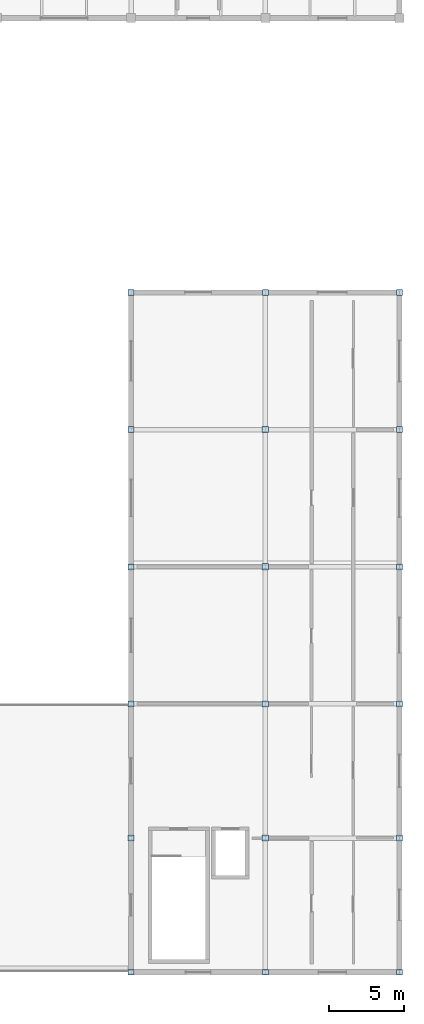
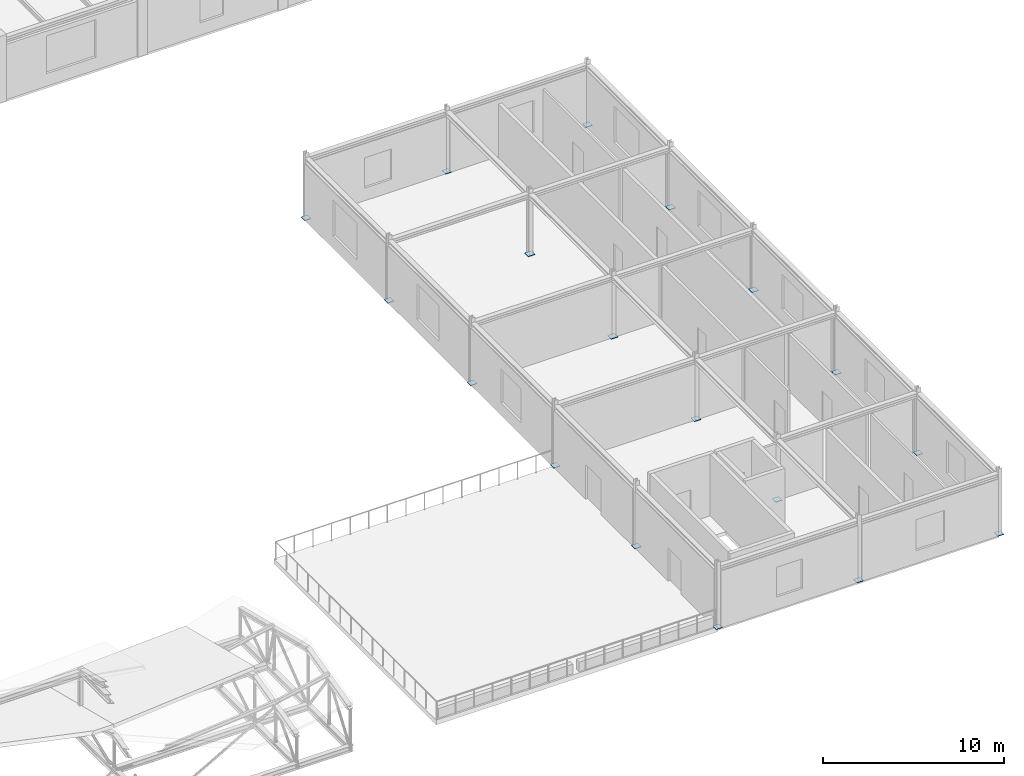
# One storey, part 39 of 55: 18 plates.
"""IFC4 building model written with IfcOpenShell, lengths in metres."""

from ifc_helpers import new_model, si_unit, direction, frame, origin, origin_2d, place, context, subcontext, project, spatial, rectangle, extrude, material, layer, layer_set, type_object, element, save


model = new_model("IFC4")

# Units and contexts
model_context = context("Model", 3, precision=1e-05, world=origin(), true_north=direction((0.0, 1.0)))
body_context = subcontext(model_context, "Body", "Model", "MODEL_VIEW")
ifc_project = project(units=[si_unit("LENGTHUNIT", "METRE"), si_unit("AREAUNIT", "SQUARE_METRE"), si_unit("VOLUMEUNIT", "CUBIC_METRE"), si_unit("PLANEANGLEUNIT", "RADIAN"), si_unit("MASSUNIT", "GRAM", prefix="KILO")], contexts=[model_context])

# Site, building, storey
site_placement = place(None, origin())
site = spatial("IfcSite", under=ifc_project, at=site_placement, CompositionType="ELEMENT")
building_placement = place(site_placement, origin())
building = spatial("IfcBuilding", under=site, at=building_placement, Name="Bozkorgan Art Gallery", CompositionType="ELEMENT")
storey_placement = place(building_placement, frame((0.0, 0.0, 15.0)))
storey = spatial("IfcBuildingStorey", under=building, at=storey_placement, Name="L03", CompositionType="ELEMENT", Elevation=15.0)

# Plates
ifc_material = material(Name="Steel S355J2", Category="steel")
ifc_layer_1 = layer(ifc_material, 0.031982421875, Name="Steel S355J2")
ifc_layer_set_1 = layer_set([ifc_layer_1], Name="Steel S355J2")
plate_type_1 = type_object("IfcPlateType", Name="PLATE-BP-02", PredefinedType="USERDEFINED", material=ifc_layer_set_1)
for number, where, z_axis, x_axis, name in (
    (1, (155.0, 11.0, 0.0), (0.0, 0.0, 1.0), (1.0, 0.0, 0.0), "COL-V6-L03-155-11 base plate"),
    (2, (155.0, 20.0, 0.0), (0.0, 0.0, 1.0), (1.0, 0.0, 0.0), "COL-V6-L03-155-20 base plate"),
    (3, (155.0, 29.199951171875, 0.0), (0.0, 0.0, 1.0), (1.0, 0.0, 0.0), "COL-V6-L03-155-29 base plate"),
    (4, (155.0, 38.39990234375, 0.0), (0.0, 0.0, 1.0), (1.0, 0.0, 0.0), "COL-V6-L03-155-38 base plate"),
):
    element("IfcPlate", number, at=place(storey_placement, frame(where, z_axis=z_axis, x_axis=x_axis)), inside=storey, type_object=plate_type_1, Name=name, ObjectType="END CAP PLATE", PredefinedType="USERDEFINED", context=body_context, shape_type="SweptSolid", body=[
        extrude(rectangle(XDim=0.419921875, YDim=0.409912109375, at=origin_2d()), origin(), (0.0, 0.0, 1.0), 0.031982421875),
    ])
ifc_layer_2 = layer(ifc_material, 0.031982421875, Name="Steel S355J2")
ifc_layer_set_2 = layer_set([ifc_layer_2], Name="Steel S355J2")
plate_type_2 = type_object("IfcPlateType", Name="PLATE-BP-69", PredefinedType="USERDEFINED", material=ifc_layer_set_2)
for number, where, z_axis, x_axis, name in (
    (5, (146.0, 2.0, 0.0), (0.0, 0.0, 1.0), (1.0, 0.0, 0.0), "COL-V6-L03-146-2 base plate"),
    (6, (146.0, 11.0, 0.0), (0.0, 0.0, 1.0), (1.0, 0.0, 0.0), "COL-V6-L03-146-11 base plate"),
    (7, (146.0, 20.0, 0.0), (0.0, 0.0, 1.0), (1.0, 0.0, 0.0), "COL-V6-L03-146-20 base plate"),
    (8, (146.0, 29.199951171875, 0.0), (0.0, 0.0, 1.0), (1.0, 0.0, 0.0), "COL-V6-L03-146-29 base plate"),
    (9, (146.0, 38.39990234375, 0.0), (0.0, 0.0, 1.0), (1.0, 0.0, 0.0), "COL-V6-L03-146-38 base plate"),
    (10, (146.0, 47.60009765625, 0.0), (0.0, 0.0, 1.0), (1.0, 0.0, 0.0), "COL-V6-L03-146-48 base plate"),
    (11, (155.0, 2.0, 0.0), (0.0, 0.0, 1.0), (1.0, 0.0, 0.0), "COL-V6-L03-155-2 base plate"),
    (12, (155.0, 47.60009765625, 0.0), (0.0, 0.0, 1.0), (1.0, 0.0, 0.0), "COL-V6-L03-155-48 base plate"),
    (13, (164.0, 2.0, 0.0), (0.0, 0.0, 1.0), (1.0, 0.0, 0.0), "COL-V6-L03-164-2 base plate"),
    (14, (164.0, 11.0, 0.0), (0.0, 0.0, 1.0), (1.0, 0.0, 0.0), "COL-V6-L03-164-11 base plate"),
    (15, (164.0, 20.0, 0.0), (0.0, 0.0, 1.0), (1.0, 0.0, 0.0), "COL-V6-L03-164-20 base plate"),
    (16, (164.0, 29.199951171875, 0.0), (0.0, 0.0, 1.0), (1.0, 0.0, 0.0), "COL-V6-L03-164-29 base plate"),
    (17, (164.0, 38.39990234375, 0.0), (0.0, 0.0, 1.0), (1.0, 0.0, 0.0), "COL-V6-L03-164-38 base plate"),
    (18, (164.0, 47.60009765625, 0.0), (0.0, 0.0, 1.0), (1.0, 0.0, 0.0), "COL-V6-L03-164-48 base plate"),
):
    element("IfcPlate", number, at=place(storey_placement, frame(where, z_axis=z_axis, x_axis=x_axis)), inside=storey, type_object=plate_type_2, Name=name, ObjectType="END CAP PLATE", PredefinedType="USERDEFINED", context=body_context, shape_type="SweptSolid", body=[
        extrude(rectangle(XDim=0.39990234375, YDim=0.39990234375, at=origin_2d()), origin(), (0.0, 0.0, 1.0), 0.031982421875),
    ])

save(model, "model.ifc")
